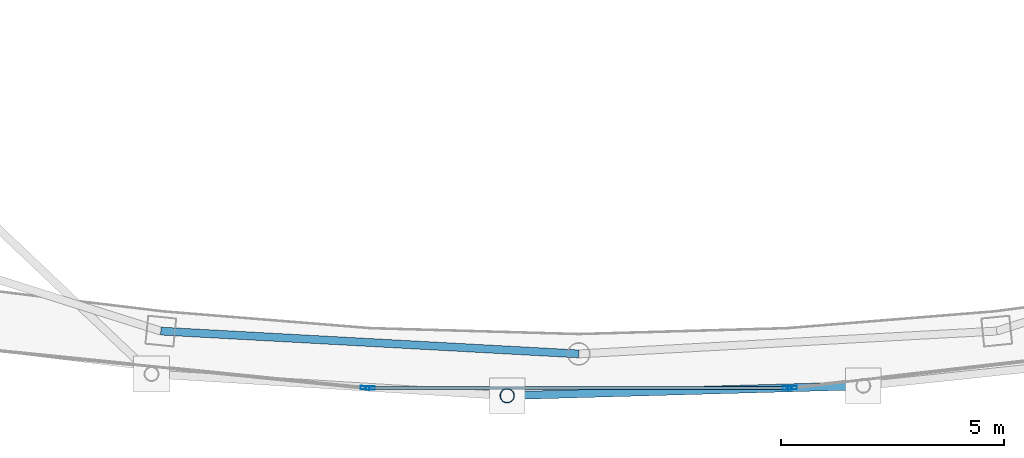
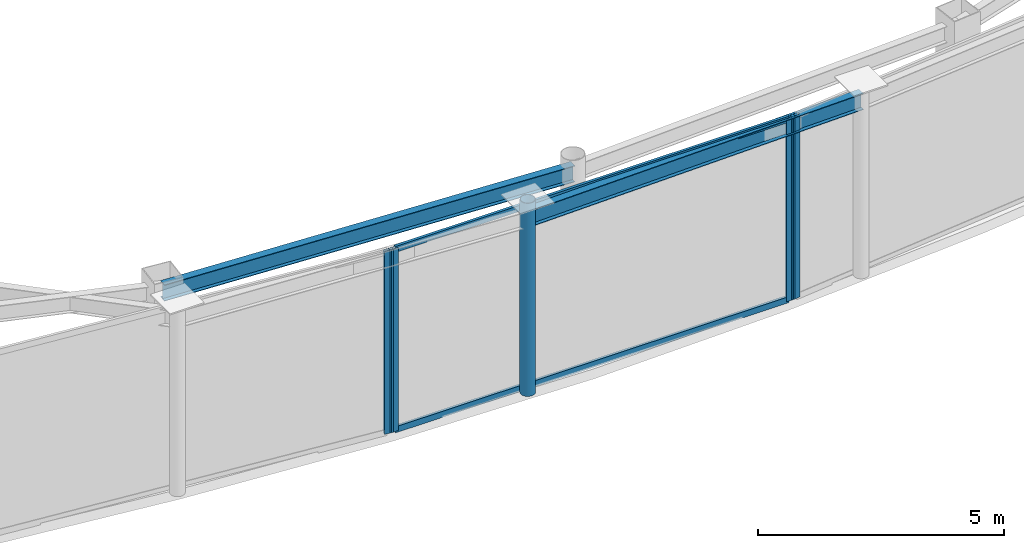
# One storey, part 6 of 19: 7 members, 2 beams, 3 elements without a shape of their own.
"""IFC4 building model written with IfcOpenShell, lengths in metres."""

from ifc_helpers import new_model, si_unit, direction, frame, origin, origin_2d, place, context, subcontext, project, spatial, hollow_rectangle, hollow_circle, i_section, extrude, material, layer, layer_set, material_profile, profile_set, type_object, element, aggregate, save


model = new_model("IFC4")

# Units and contexts
model_context = context("Model", 3, precision=1e-05, world=origin(), true_north=direction((0.0, 1.0)))
body_context = subcontext(model_context, "Body", "Model", "MODEL_VIEW")
ifc_project = project(units=[si_unit("LENGTHUNIT", "METRE"), si_unit("AREAUNIT", "SQUARE_METRE"), si_unit("VOLUMEUNIT", "CUBIC_METRE"), si_unit("PLANEANGLEUNIT", "RADIAN"), si_unit("MASSUNIT", "GRAM", prefix="KILO")], contexts=[model_context])

# Site, building, storey
site_placement = place(None, origin())
site = spatial("IfcSite", under=ifc_project, at=site_placement, CompositionType="ELEMENT")
building_placement = place(site_placement, origin())
building = spatial("IfcBuilding", under=site, at=building_placement, Name="Orvanel Arch Residences", CompositionType="ELEMENT")
storey_placement = place(building_placement, frame((0.0, 0.0, 290.89990234375)))
storey = spatial("IfcBuildingStorey", under=building, at=storey_placement, Name="L82", CompositionType="ELEMENT", Elevation=290.89990234375)

# Curtain wall, member
ifc_material_1 = material(Name="Bronze-anodised aluminium AA6063-T6", Category="aluminium")
ifc_layer = layer(ifc_material_1, 0.2099609375)
ifc_layer_set = layer_set([ifc_layer], Name="Bronze-anodised aluminium AA6063-T6")
curtain_wall_type = type_object("IfcCurtainWallType", Name="CW7-TOP-SYS", PredefinedType="NOTDEFINED", material=ifc_layer_set)
curtain_wall_1_placement = place(storey_placement, origin())
curtain_wall_1 = element("IfcCurtainWall", 1, at=curtain_wall_1_placement, inside=storey, type_object=curtain_wall_type, Name="L82 CW7-TOP-SYS Unitised Curtain Wall", PredefinedType="NOTDEFINED")
ifc_material_profile_1 = material_profile(ifc_material_1, hollow_rectangle(XDim=0.074951171875, YDim=0.199951171875, WallThickness=0.0048828125, at=origin_2d()), Name="ALU200x75x5")
ifc_profile_set_1 = profile_set([ifc_material_profile_1], Name="Bronze-anodised aluminium AA6063-T6")
member_type_1 = type_object("IfcMemberType", Name="MUL-200x75", PredefinedType="MULLION", material=ifc_profile_set_1)
member_1_placement = place(storey_placement, frame((28.2216796875, 6.083740234375, 0.0), z_axis=(0.0, 0.0, 1.0), x_axis=(0.10054103466, 0.994932912487, 0.0)))
member_1 = element("IfcMember", 2, at=member_1_placement, type_object=member_type_1, Name="CW-S7 mullion 2", PredefinedType="MULLION", context=body_context, shape_type="SweptSolid", body=[
    extrude(hollow_rectangle(XDim=0.074951171875, YDim=0.199951171875, WallThickness=0.0048828125, at=origin_2d()), origin(), (0.0, 0.0, 1.0), 4.550048828125),
])
aggregate(curtain_wall_1, [member_1])

# Curtain wall, members
curtain_wall_2_placement = place(storey_placement, origin())
curtain_wall_2 = element("IfcCurtainWall", 3, at=curtain_wall_2_placement, inside=storey, type_object=curtain_wall_type, Name="L82 CW7-TOP-SYS Unitised Curtain Wall", PredefinedType="NOTDEFINED")
member_2_placement = place(storey_placement, frame((28.33642578125, 6.077880859375, 0.0), z_axis=(0.0, 0.0, 1.0), x_axis=(0.0, 1.0, 0.0)))
member_2 = element("IfcMember", 4, at=member_2_placement, type_object=member_type_1, Name="CW-S7 mullion 1", PredefinedType="MULLION", context=body_context, shape_type="SweptSolid", body=[
    extrude(hollow_rectangle(XDim=0.074951171875, YDim=0.199951171875, WallThickness=0.0048828125, at=origin_2d()), origin(), (0.0, 0.0, 1.0), 4.550048828125),
])
member_3_placement = place(storey_placement, frame((37.66357421875, 6.077880859375, 0.0), z_axis=(0.0, 0.0, 1.0), x_axis=(0.0, 1.0, 0.0)))
member_3 = element("IfcMember", 5, at=member_3_placement, type_object=member_type_1, Name="CW-S7 mullion 2", PredefinedType="MULLION", context=body_context, shape_type="SweptSolid", body=[
    extrude(hollow_rectangle(XDim=0.074951171875, YDim=0.199951171875, WallThickness=0.0048828125, at=origin_2d()), origin(), (0.0, 0.0, 1.0), 4.550048828125),
])

# Curtain wall, member
curtain_wall_3_placement = place(storey_placement, origin())
curtain_wall_3 = element("IfcCurtainWall", 6, at=curtain_wall_3_placement, inside=storey, type_object=curtain_wall_type, Name="L82 CW7-TOP-SYS Unitised Curtain Wall", PredefinedType="NOTDEFINED")
member_4_placement = place(storey_placement, frame((37.7783203125, 6.084228515625, 0.0), z_axis=(0.0, 0.0, 1.0), x_axis=(-0.11424494002, 0.9934526127, 0.0)))
member_4 = element("IfcMember", 7, at=member_4_placement, type_object=member_type_1, Name="CW-S7 mullion 1", PredefinedType="MULLION", context=body_context, shape_type="SweptSolid", body=[
    extrude(hollow_rectangle(XDim=0.074951171875, YDim=0.199951171875, WallThickness=0.0048828125, at=origin_2d()), origin(), (0.0, 0.0, 1.0), 4.550048828125),
])
aggregate(curtain_wall_3, [member_4])

# Beams
ifc_material_2 = material(Name="Structural steel AS/NZS 3679.1 Grade 300 (300 MPa)", Category="steel")
ifc_material_profile_2 = material_profile(ifc_material_2, i_section(OverallWidth=0.177978515625, OverallDepth=0.406005859375, WebThickness=0.0078125, FlangeThickness=0.0126953125, at=origin_2d()), Name="410UB59.7")
ifc_profile_set_2 = profile_set([ifc_material_profile_2], Name="Structural steel AS/NZS 3679.1 Grade 300 (300 MPa)")
beam_type_1 = type_object("IfcBeamType", Name="OB-410UB", PredefinedType="SPANDREL", material=ifc_profile_set_2)
beam_1_placement = place(storey_placement, frame((23.64892578125, 7.35498046875, 4.34716796875), z_axis=(0.998510315598, -0.054563262768, 0.0), x_axis=(0.054563262768, 0.998510315598, 0.0)))
element("IfcBeam", 8, at=beam_1_placement, inside=storey, type_object=beam_type_1, Name="L82 Perimeter Spandrel Beam 03", PredefinedType="SPANDREL", context=body_context, shape_type="SweptSolid", body=[
    extrude(i_section(OverallWidth=0.177978515625, OverallDepth=0.406005859375, WebThickness=0.0078125, FlangeThickness=0.0126953125, at=origin_2d()), origin(), (0.0, 0.0, 1.0), 9.364990234375),
])
ifc_material_profile_3 = material_profile(ifc_material_2, i_section(OverallWidth=0.177978515625, OverallDepth=0.406005859375, WebThickness=0.0078125, FlangeThickness=0.0126953125, at=origin_2d()), Name="410UB59.7")
ifc_profile_set_3 = profile_set([ifc_material_profile_3], Name="Structural steel AS/NZS 3679.1 Grade 300 (300 MPa)")
beam_type_2 = type_object("IfcBeamType", Name="OB-410UB-EXT", PredefinedType="SPANDREL", material=ifc_profile_set_3)
beam_2_placement = place(storey_placement, frame((31.39892578125, 5.908935546875, 4.34716796875), z_axis=(0.999611510585, 0.027871632645, 0.0), x_axis=(-0.027871632645, 0.999611510585, 0.0)))
element("IfcBeam", 9, at=beam_2_placement, inside=storey, type_object=beam_type_2, Name="L82 Outer Perimeter Floor Ring Beam 06", PredefinedType="SPANDREL", context=body_context, shape_type="SweptSolid", body=[
    extrude(i_section(OverallWidth=0.177978515625, OverallDepth=0.406005859375, WebThickness=0.0078125, FlangeThickness=0.0126953125, at=origin_2d()), origin(), (0.0, 0.0, 1.0), 7.97119140625),
])

# Member
ifc_material_3 = material(Name="Structural steel AS/NZS 1163 C350L0 (Grade 350)", Category="steel")
ifc_material_profile_4 = material_profile(ifc_material_3, hollow_circle(Radius=0.162109375, WallThickness=0.0126953125, at=origin_2d()), Name="CHS324x12.7")
ifc_profile_set_4 = profile_set([ifc_material_profile_4], Name="Structural steel AS/NZS 1163 C350L0 (Grade 350)")
member_type_2 = type_object("IfcMemberType", Name="ST-324CHS-EXT", PredefinedType="STRUT", material=ifc_profile_set_4)
member_5_placement = place(storey_placement, frame((31.39892578125, 5.908935546875, 0.0), z_axis=(0.0, 0.0, 1.0), x_axis=(1.0, 0.0, 0.0)))
element("IfcMember", 10, at=member_5_placement, inside=storey, type_object=member_type_2, Name="L82 Outer Perimeter Frame Post 06", PredefinedType="STRUT", context=body_context, shape_type="SweptSolid", body=[
    extrude(hollow_circle(Radius=0.162109375, WallThickness=0.0126953125, at=origin_2d()), origin(), (0.0, 0.0, 1.0), 4.800048828125),
])

ifc_material_profile_5 = material_profile(ifc_material_1, hollow_rectangle(XDim=0.06494140625, YDim=0.14990234375, WallThickness=0.00390625, at=origin_2d()), Name="ALU150x65x4")
ifc_profile_set_5 = profile_set([ifc_material_profile_5], Name="Bronze-anodised aluminium AA6063-T6")
member_type_3 = type_object("IfcMemberType", Name="TRN-150x65", PredefinedType="USERDEFINED", material=ifc_profile_set_5)
member_6_placement = place(storey_placement, frame((28.3740234375, 6.077880859375, 0.03271484375), z_axis=(1.0, 0.0, 0.0), x_axis=(0.0, 1.0, 0.0)))
member_6 = element("IfcMember", 11, at=member_6_placement, type_object=member_type_3, Name="CW-S7 transom 1.1", ObjectType="TRANSOM", PredefinedType="USERDEFINED", context=body_context, shape_type="SweptSolid", body=[
    extrude(hollow_rectangle(XDim=0.06494140625, YDim=0.14990234375, WallThickness=0.00390625, at=origin_2d()), origin(), (0.0, 0.0, 1.0), 9.251953125),
])

member_7_placement = place(storey_placement, frame((28.3740234375, 6.077880859375, 4.517578125), z_axis=(1.0, 0.0, 0.0), x_axis=(0.0, 1.0, 0.0)))
member_7 = element("IfcMember", 12, at=member_7_placement, type_object=member_type_3, Name="CW-S7 transom 1.2", ObjectType="TRANSOM", PredefinedType="USERDEFINED", context=body_context, shape_type="SweptSolid", body=[
    extrude(hollow_rectangle(XDim=0.06494140625, YDim=0.14990234375, WallThickness=0.00390625, at=origin_2d()), origin(), (0.0, 0.0, 1.0), 9.251953125),
])

aggregate(curtain_wall_2, [member_2, member_3, member_6, member_7])

save(model, "model.ifc")
